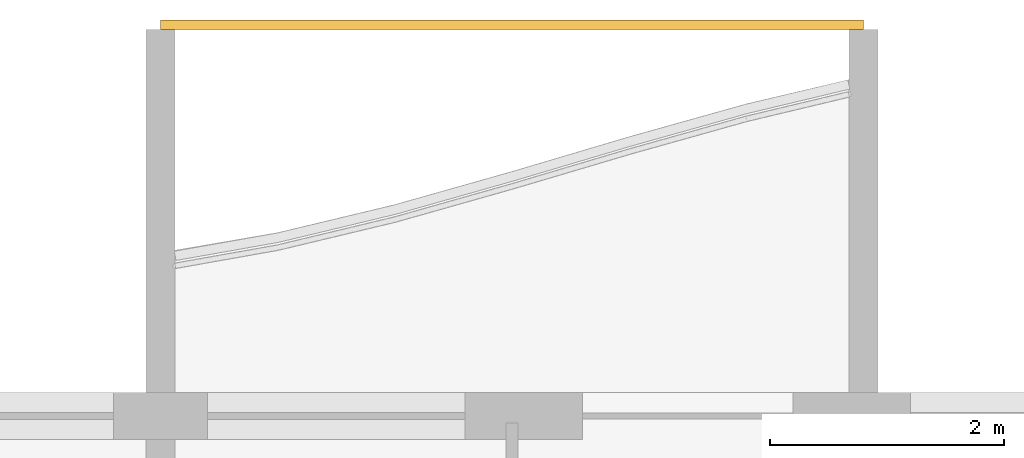
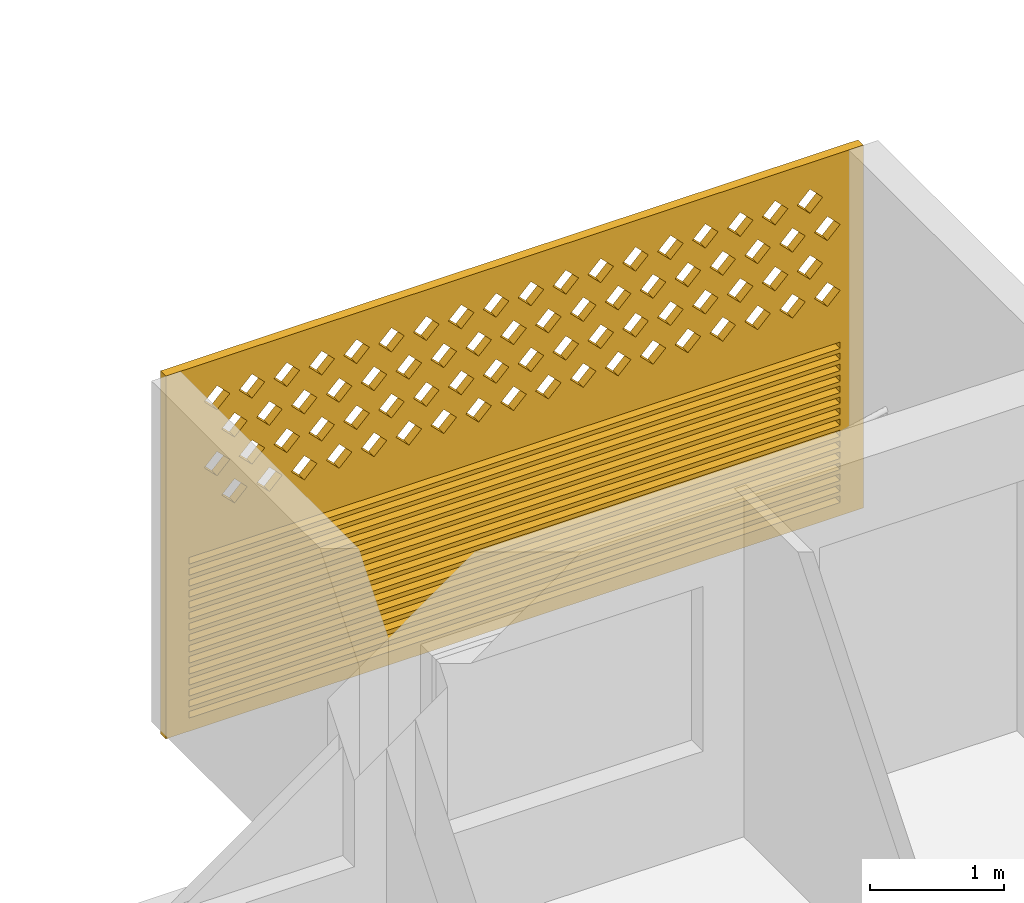
# One storey, part 20 of 26: 1 covering.
"""IFC4 building model written with IfcOpenShell, lengths in metres."""

from ifc_helpers import new_model, si_unit, direction, frame, origin, place, context, subcontext, project, spatial, polyline, outline, extrude, source, transform, mapped, material, material_profile, profile_set, type_object, element, save


model = new_model("IFC4")

# Units and contexts
model_context = context("Model", 3, precision=1e-05, world=origin(), true_north=direction((0.0, 1.0)))
body_context = subcontext(model_context, "Body", "Model", "MODEL_VIEW")
ifc_project = project(units=[si_unit("LENGTHUNIT", "METRE"), si_unit("AREAUNIT", "SQUARE_METRE"), si_unit("VOLUMEUNIT", "CUBIC_METRE"), si_unit("PLANEANGLEUNIT", "RADIAN"), si_unit("MASSUNIT", "GRAM", prefix="KILO")], contexts=[model_context])

# Site, building, storey
site_placement = place(None, origin())
site = spatial("IfcSite", under=ifc_project, at=site_placement, CompositionType="ELEMENT")
building_placement = place(site_placement, origin())
building = spatial("IfcBuilding", under=site, at=building_placement, Name="Poui Terraces", CompositionType="ELEMENT")
storey_placement = place(building_placement, frame((0.0, 0.0, 244.5)))
storey = spatial("IfcBuildingStorey", under=building, at=storey_placement, Name="L68", CompositionType="ELEMENT", Elevation=244.5)

# Covering
ifc_material = material(Name="Terracotta screen", Category="masonry")
ifc_material_profile = material_profile(ifc_material, outline(polyline([(-3.0, -1.64990234375), (3.0, -1.64990234375), (3.0, 1.64990234375), (-3.0, 1.64990234375), (-3.0, -1.64990234375)]), holes=[polyline([(-2.800048828125, 0.39990234375), (-2.68994140625, 0.2900390625), (-2.580078125, 0.39990234375), (-2.68994140625, 0.510009765625), (-2.800048828125, 0.39990234375)]), polyline([(-2.5, 0.39990234375), (-2.389892578125, 0.2900390625), (-2.280029296875, 0.39990234375), (-2.389892578125, 0.510009765625), (-2.5, 0.39990234375)]), polyline([(-2.199951171875, 0.39990234375), (-2.090087890625, 0.2900390625), (-1.97998046875, 0.39990234375), (-2.090087890625, 0.510009765625), (-2.199951171875, 0.39990234375)]), polyline([(-1.89990234375, 0.39990234375), (-1.7900390625, 0.2900390625), (-1.679931640625, 0.39990234375), (-1.7900390625, 0.510009765625), (-1.89990234375, 0.39990234375)]), polyline([(-1.60009765625, 0.39990234375), (-1.489990234375, 0.2900390625), (-1.3798828125, 0.39990234375), (-1.489990234375, 0.510009765625), (-1.60009765625, 0.39990234375)]), polyline([(-1.300048828125, 0.39990234375), (-1.18994140625, 0.2900390625), (-1.080078125, 0.39990234375), (-1.18994140625, 0.510009765625), (-1.300048828125, 0.39990234375)]), polyline([(-1.0, 0.39990234375), (-0.889892578125, 0.2900390625), (-0.780029296875, 0.39990234375), (-0.889892578125, 0.510009765625), (-1.0, 0.39990234375)]), polyline([(-0.699951171875, 0.39990234375), (-0.590087890625, 0.2900390625), (-0.47998046875, 0.39990234375), (-0.590087890625, 0.510009765625), (-0.699951171875, 0.39990234375)]), polyline([(-0.39990234375, 0.39990234375), (-0.2900390625, 0.2900390625), (-0.179931640625, 0.39990234375), (-0.2900390625, 0.510009765625), (-0.39990234375, 0.39990234375)]), polyline([(-0.10009765625, 0.39990234375), (0.010009765625, 0.2900390625), (0.1201171875, 0.39990234375), (0.010009765625, 0.510009765625), (-0.10009765625, 0.39990234375)]), polyline([(0.199951171875, 0.39990234375), (0.31005859375, 0.2900390625), (0.419921875, 0.39990234375), (0.31005859375, 0.510009765625), (0.199951171875, 0.39990234375)]), polyline([(0.5, 0.39990234375), (0.610107421875, 0.2900390625), (0.719970703125, 0.39990234375), (0.610107421875, 0.510009765625), (0.5, 0.39990234375)]), polyline([(0.800048828125, 0.39990234375), (0.909912109375, 0.2900390625), (1.02001953125, 0.39990234375), (0.909912109375, 0.510009765625), (0.800048828125, 0.39990234375)]), polyline([(1.10009765625, 0.39990234375), (1.2099609375, 0.2900390625), (1.320068359375, 0.39990234375), (1.2099609375, 0.510009765625), (1.10009765625, 0.39990234375)]), polyline([(1.39990234375, 0.39990234375), (1.510009765625, 0.2900390625), (1.6201171875, 0.39990234375), (1.510009765625, 0.510009765625), (1.39990234375, 0.39990234375)]), polyline([(1.699951171875, 0.39990234375), (1.81005859375, 0.2900390625), (1.919921875, 0.39990234375), (1.81005859375, 0.510009765625), (1.699951171875, 0.39990234375)]), polyline([(2.0, 0.39990234375), (2.110107421875, 0.2900390625), (2.219970703125, 0.39990234375), (2.110107421875, 0.510009765625), (2.0, 0.39990234375)]), polyline([(2.300048828125, 0.39990234375), (2.409912109375, 0.2900390625), (2.52001953125, 0.39990234375), (2.409912109375, 0.510009765625), (2.300048828125, 0.39990234375)]), polyline([(-2.64990234375, 0.699951171875), (-2.5400390625, 0.590087890625), (-2.429931640625, 0.699951171875), (-2.5400390625, 0.81005859375), (-2.64990234375, 0.699951171875)]), polyline([(-2.35009765625, 0.699951171875), (-2.239990234375, 0.590087890625), (-2.1298828125, 0.699951171875), (-2.239990234375, 0.81005859375), (-2.35009765625, 0.699951171875)]), polyline([(-2.050048828125, 0.699951171875), (-1.93994140625, 0.590087890625), (-1.830078125, 0.699951171875), (-1.93994140625, 0.81005859375), (-2.050048828125, 0.699951171875)]), polyline([(-1.75, 0.699951171875), (-1.639892578125, 0.590087890625), (-1.530029296875, 0.699951171875), (-1.639892578125, 0.81005859375), (-1.75, 0.699951171875)]), polyline([(-1.449951171875, 0.699951171875), (-1.340087890625, 0.590087890625), (-1.22998046875, 0.699951171875), (-1.340087890625, 0.81005859375), (-1.449951171875, 0.699951171875)]), polyline([(-1.14990234375, 0.699951171875), (-1.0400390625, 0.590087890625), (-0.929931640625, 0.699951171875), (-1.0400390625, 0.81005859375), (-1.14990234375, 0.699951171875)]), polyline([(-0.85009765625, 0.699951171875), (-0.739990234375, 0.590087890625), (-0.6298828125, 0.699951171875), (-0.739990234375, 0.81005859375), (-0.85009765625, 0.699951171875)]), polyline([(-0.550048828125, 0.699951171875), (-0.43994140625, 0.590087890625), (-0.330078125, 0.699951171875), (-0.43994140625, 0.81005859375), (-0.550048828125, 0.699951171875)]), polyline([(-0.25, 0.699951171875), (-0.139892578125, 0.590087890625), (-0.030029296875, 0.699951171875), (-0.139892578125, 0.81005859375), (-0.25, 0.699951171875)]), polyline([(0.050048828125, 0.699951171875), (0.159912109375, 0.590087890625), (0.27001953125, 0.699951171875), (0.159912109375, 0.81005859375), (0.050048828125, 0.699951171875)]), polyline([(0.35009765625, 0.699951171875), (0.4599609375, 0.590087890625), (0.570068359375, 0.699951171875), (0.4599609375, 0.81005859375), (0.35009765625, 0.699951171875)]), polyline([(0.64990234375, 0.699951171875), (0.760009765625, 0.590087890625), (0.8701171875, 0.699951171875), (0.760009765625, 0.81005859375), (0.64990234375, 0.699951171875)]), polyline([(0.949951171875, 0.699951171875), (1.06005859375, 0.590087890625), (1.169921875, 0.699951171875), (1.06005859375, 0.81005859375), (0.949951171875, 0.699951171875)]), polyline([(1.25, 0.699951171875), (1.360107421875, 0.590087890625), (1.469970703125, 0.699951171875), (1.360107421875, 0.81005859375), (1.25, 0.699951171875)]), polyline([(1.550048828125, 0.699951171875), (1.659912109375, 0.590087890625), (1.77001953125, 0.699951171875), (1.659912109375, 0.81005859375), (1.550048828125, 0.699951171875)]), polyline([(1.85009765625, 0.699951171875), (1.9599609375, 0.590087890625), (2.070068359375, 0.699951171875), (1.9599609375, 0.81005859375), (1.85009765625, 0.699951171875)]), polyline([(2.14990234375, 0.699951171875), (2.260009765625, 0.590087890625), (2.3701171875, 0.699951171875), (2.260009765625, 0.81005859375), (2.14990234375, 0.699951171875)]), polyline([(2.449951171875, 0.699951171875), (2.56005859375, 0.590087890625), (2.669921875, 0.699951171875), (2.56005859375, 0.81005859375), (2.449951171875, 0.699951171875)]), polyline([(-2.800048828125, 1.0), (-2.68994140625, 0.889892578125), (-2.580078125, 1.0), (-2.68994140625, 1.110107421875), (-2.800048828125, 1.0)]), polyline([(-2.5, 1.0), (-2.389892578125, 0.889892578125), (-2.280029296875, 1.0), (-2.389892578125, 1.110107421875), (-2.5, 1.0)]), polyline([(-2.199951171875, 1.0), (-2.090087890625, 0.889892578125), (-1.97998046875, 1.0), (-2.090087890625, 1.110107421875), (-2.199951171875, 1.0)]), polyline([(-1.89990234375, 1.0), (-1.7900390625, 0.889892578125), (-1.679931640625, 1.0), (-1.7900390625, 1.110107421875), (-1.89990234375, 1.0)]), polyline([(-1.60009765625, 1.0), (-1.489990234375, 0.889892578125), (-1.3798828125, 1.0), (-1.489990234375, 1.110107421875), (-1.60009765625, 1.0)]), polyline([(-1.300048828125, 1.0), (-1.18994140625, 0.889892578125), (-1.080078125, 1.0), (-1.18994140625, 1.110107421875), (-1.300048828125, 1.0)]), polyline([(-1.0, 1.0), (-0.889892578125, 0.889892578125), (-0.780029296875, 1.0), (-0.889892578125, 1.110107421875), (-1.0, 1.0)]), polyline([(-0.699951171875, 1.0), (-0.590087890625, 0.889892578125), (-0.47998046875, 1.0), (-0.590087890625, 1.110107421875), (-0.699951171875, 1.0)]), polyline([(-0.39990234375, 1.0), (-0.2900390625, 0.889892578125), (-0.179931640625, 1.0), (-0.2900390625, 1.110107421875), (-0.39990234375, 1.0)]), polyline([(-0.10009765625, 1.0), (0.010009765625, 0.889892578125), (0.1201171875, 1.0), (0.010009765625, 1.110107421875), (-0.10009765625, 1.0)]), polyline([(0.199951171875, 1.0), (0.31005859375, 0.889892578125), (0.419921875, 1.0), (0.31005859375, 1.110107421875), (0.199951171875, 1.0)]), polyline([(0.5, 1.0), (0.610107421875, 0.889892578125), (0.719970703125, 1.0), (0.610107421875, 1.110107421875), (0.5, 1.0)]), polyline([(0.800048828125, 1.0), (0.909912109375, 0.889892578125), (1.02001953125, 1.0), (0.909912109375, 1.110107421875), (0.800048828125, 1.0)]), polyline([(1.10009765625, 1.0), (1.2099609375, 0.889892578125), (1.320068359375, 1.0), (1.2099609375, 1.110107421875), (1.10009765625, 1.0)]), polyline([(1.39990234375, 1.0), (1.510009765625, 0.889892578125), (1.6201171875, 1.0), (1.510009765625, 1.110107421875), (1.39990234375, 1.0)]), polyline([(1.699951171875, 1.0), (1.81005859375, 0.889892578125), (1.919921875, 1.0), (1.81005859375, 1.110107421875), (1.699951171875, 1.0)]), polyline([(2.0, 1.0), (2.110107421875, 0.889892578125), (2.219970703125, 1.0), (2.110107421875, 1.110107421875), (2.0, 1.0)]), polyline([(2.300048828125, 1.0), (2.409912109375, 0.889892578125), (2.52001953125, 1.0), (2.409912109375, 1.110107421875), (2.300048828125, 1.0)]), polyline([(-2.64990234375, 1.300048828125), (-2.5400390625, 1.18994140625), (-2.429931640625, 1.300048828125), (-2.5400390625, 1.409912109375), (-2.64990234375, 1.300048828125)]), polyline([(-2.35009765625, 1.300048828125), (-2.239990234375, 1.18994140625), (-2.1298828125, 1.300048828125), (-2.239990234375, 1.409912109375), (-2.35009765625, 1.300048828125)]), polyline([(-2.050048828125, 1.300048828125), (-1.93994140625, 1.18994140625), (-1.830078125, 1.300048828125), (-1.93994140625, 1.409912109375), (-2.050048828125, 1.300048828125)]), polyline([(-1.75, 1.300048828125), (-1.639892578125, 1.18994140625), (-1.530029296875, 1.300048828125), (-1.639892578125, 1.409912109375), (-1.75, 1.300048828125)]), polyline([(-1.449951171875, 1.300048828125), (-1.340087890625, 1.18994140625), (-1.22998046875, 1.300048828125), (-1.340087890625, 1.409912109375), (-1.449951171875, 1.300048828125)]), polyline([(-1.14990234375, 1.300048828125), (-1.0400390625, 1.18994140625), (-0.929931640625, 1.300048828125), (-1.0400390625, 1.409912109375), (-1.14990234375, 1.300048828125)]), polyline([(-0.85009765625, 1.300048828125), (-0.739990234375, 1.18994140625), (-0.6298828125, 1.300048828125), (-0.739990234375, 1.409912109375), (-0.85009765625, 1.300048828125)]), polyline([(-0.550048828125, 1.300048828125), (-0.43994140625, 1.18994140625), (-0.330078125, 1.300048828125), (-0.43994140625, 1.409912109375), (-0.550048828125, 1.300048828125)]), polyline([(-0.25, 1.300048828125), (-0.139892578125, 1.18994140625), (-0.030029296875, 1.300048828125), (-0.139892578125, 1.409912109375), (-0.25, 1.300048828125)]), polyline([(0.050048828125, 1.300048828125), (0.159912109375, 1.18994140625), (0.27001953125, 1.300048828125), (0.159912109375, 1.409912109375), (0.050048828125, 1.300048828125)]), polyline([(0.35009765625, 1.300048828125), (0.4599609375, 1.18994140625), (0.570068359375, 1.300048828125), (0.4599609375, 1.409912109375), (0.35009765625, 1.300048828125)]), polyline([(0.64990234375, 1.300048828125), (0.760009765625, 1.18994140625), (0.8701171875, 1.300048828125), (0.760009765625, 1.409912109375), (0.64990234375, 1.300048828125)]), polyline([(0.949951171875, 1.300048828125), (1.06005859375, 1.18994140625), (1.169921875, 1.300048828125), (1.06005859375, 1.409912109375), (0.949951171875, 1.300048828125)]), polyline([(1.25, 1.300048828125), (1.360107421875, 1.18994140625), (1.469970703125, 1.300048828125), (1.360107421875, 1.409912109375), (1.25, 1.300048828125)]), polyline([(1.550048828125, 1.300048828125), (1.659912109375, 1.18994140625), (1.77001953125, 1.300048828125), (1.659912109375, 1.409912109375), (1.550048828125, 1.300048828125)]), polyline([(1.85009765625, 1.300048828125), (1.9599609375, 1.18994140625), (2.070068359375, 1.300048828125), (1.9599609375, 1.409912109375), (1.85009765625, 1.300048828125)]), polyline([(2.14990234375, 1.300048828125), (2.260009765625, 1.18994140625), (2.3701171875, 1.300048828125), (2.260009765625, 1.409912109375), (2.14990234375, 1.300048828125)]), polyline([(2.449951171875, 1.300048828125), (2.56005859375, 1.18994140625), (2.669921875, 1.300048828125), (2.56005859375, 1.409912109375), (2.449951171875, 1.300048828125)]), polyline([(-2.800048828125, -1.530029296875), (2.800048828125, -1.530029296875), (2.800048828125, -1.469970703125), (-2.800048828125, -1.469970703125), (-2.800048828125, -1.530029296875)]), polyline([(-2.800048828125, -1.429931640625), (2.800048828125, -1.429931640625), (2.800048828125, -1.3701171875), (-2.800048828125, -1.3701171875), (-2.800048828125, -1.429931640625)]), polyline([(-2.800048828125, -1.330078125), (2.800048828125, -1.330078125), (2.800048828125, -1.27001953125), (-2.800048828125, -1.27001953125), (-2.800048828125, -1.330078125)]), polyline([(-2.800048828125, -1.22998046875), (2.800048828125, -1.22998046875), (2.800048828125, -1.169921875), (-2.800048828125, -1.169921875), (-2.800048828125, -1.22998046875)]), polyline([(-2.800048828125, -1.1298828125), (2.800048828125, -1.1298828125), (2.800048828125, -1.070068359375), (-2.800048828125, -1.070068359375), (-2.800048828125, -1.1298828125)]), polyline([(-2.800048828125, -1.030029296875), (2.800048828125, -1.030029296875), (2.800048828125, -0.969970703125), (-2.800048828125, -0.969970703125), (-2.800048828125, -1.030029296875)]), polyline([(-2.800048828125, -0.929931640625), (2.800048828125, -0.929931640625), (2.800048828125, -0.8701171875), (-2.800048828125, -0.8701171875), (-2.800048828125, -0.929931640625)]), polyline([(-2.800048828125, -0.830078125), (2.800048828125, -0.830078125), (2.800048828125, -0.77001953125), (-2.800048828125, -0.77001953125), (-2.800048828125, -0.830078125)]), polyline([(-2.800048828125, -0.72998046875), (2.800048828125, -0.72998046875), (2.800048828125, -0.669921875), (-2.800048828125, -0.669921875), (-2.800048828125, -0.72998046875)]), polyline([(-2.800048828125, -0.6298828125), (2.800048828125, -0.6298828125), (2.800048828125, -0.570068359375), (-2.800048828125, -0.570068359375), (-2.800048828125, -0.6298828125)]), polyline([(-2.800048828125, -0.530029296875), (2.800048828125, -0.530029296875), (2.800048828125, -0.469970703125), (-2.800048828125, -0.469970703125), (-2.800048828125, -0.530029296875)]), polyline([(-2.800048828125, -0.429931640625), (2.800048828125, -0.429931640625), (2.800048828125, -0.3701171875), (-2.800048828125, -0.3701171875), (-2.800048828125, -0.429931640625)]), polyline([(-2.800048828125, -0.330078125), (2.800048828125, -0.330078125), (2.800048828125, -0.27001953125), (-2.800048828125, -0.27001953125), (-2.800048828125, -0.330078125)]), polyline([(-2.800048828125, -0.22998046875), (2.800048828125, -0.22998046875), (2.800048828125, -0.169921875), (-2.800048828125, -0.169921875), (-2.800048828125, -0.22998046875)]), polyline([(-2.800048828125, -0.1298828125), (2.800048828125, -0.1298828125), (2.800048828125, -0.070068359375), (-2.800048828125, -0.070068359375), (-2.800048828125, -0.1298828125)])]), Name="TERRACOTTA SCREEN AND JALOUSIE LOUVRE 6000X3300")
ifc_profile_set = profile_set([ifc_material_profile], Name="Terracotta screen")
covering_type = type_object("IfcCoveringType", Name="TERRACOTTA SCREEN AND JALOUSIE LOUVRE 6000X3300", PredefinedType="CLADDING", material=ifc_profile_set)
shared_shape = source(origin(), body_context, "Body", "SweptSolid", [
    extrude(outline(polyline([(-3.0, -1.64990234375), (3.0, -1.64990234375), (3.0, 1.64990234375), (-3.0, 1.64990234375), (-3.0, -1.64990234375)]), holes=[polyline([(-2.800048828125, 0.39990234375), (-2.68994140625, 0.2900390625), (-2.580078125, 0.39990234375), (-2.68994140625, 0.510009765625), (-2.800048828125, 0.39990234375)]), polyline([(-2.5, 0.39990234375), (-2.389892578125, 0.2900390625), (-2.280029296875, 0.39990234375), (-2.389892578125, 0.510009765625), (-2.5, 0.39990234375)]), polyline([(-2.199951171875, 0.39990234375), (-2.090087890625, 0.2900390625), (-1.97998046875, 0.39990234375), (-2.090087890625, 0.510009765625), (-2.199951171875, 0.39990234375)]), polyline([(-1.89990234375, 0.39990234375), (-1.7900390625, 0.2900390625), (-1.679931640625, 0.39990234375), (-1.7900390625, 0.510009765625), (-1.89990234375, 0.39990234375)]), polyline([(-1.60009765625, 0.39990234375), (-1.489990234375, 0.2900390625), (-1.3798828125, 0.39990234375), (-1.489990234375, 0.510009765625), (-1.60009765625, 0.39990234375)]), polyline([(-1.300048828125, 0.39990234375), (-1.18994140625, 0.2900390625), (-1.080078125, 0.39990234375), (-1.18994140625, 0.510009765625), (-1.300048828125, 0.39990234375)]), polyline([(-1.0, 0.39990234375), (-0.889892578125, 0.2900390625), (-0.780029296875, 0.39990234375), (-0.889892578125, 0.510009765625), (-1.0, 0.39990234375)]), polyline([(-0.699951171875, 0.39990234375), (-0.590087890625, 0.2900390625), (-0.47998046875, 0.39990234375), (-0.590087890625, 0.510009765625), (-0.699951171875, 0.39990234375)]), polyline([(-0.39990234375, 0.39990234375), (-0.2900390625, 0.2900390625), (-0.179931640625, 0.39990234375), (-0.2900390625, 0.510009765625), (-0.39990234375, 0.39990234375)]), polyline([(-0.10009765625, 0.39990234375), (0.010009765625, 0.2900390625), (0.1201171875, 0.39990234375), (0.010009765625, 0.510009765625), (-0.10009765625, 0.39990234375)]), polyline([(0.199951171875, 0.39990234375), (0.31005859375, 0.2900390625), (0.419921875, 0.39990234375), (0.31005859375, 0.510009765625), (0.199951171875, 0.39990234375)]), polyline([(0.5, 0.39990234375), (0.610107421875, 0.2900390625), (0.719970703125, 0.39990234375), (0.610107421875, 0.510009765625), (0.5, 0.39990234375)]), polyline([(0.800048828125, 0.39990234375), (0.909912109375, 0.2900390625), (1.02001953125, 0.39990234375), (0.909912109375, 0.510009765625), (0.800048828125, 0.39990234375)]), polyline([(1.10009765625, 0.39990234375), (1.2099609375, 0.2900390625), (1.320068359375, 0.39990234375), (1.2099609375, 0.510009765625), (1.10009765625, 0.39990234375)]), polyline([(1.39990234375, 0.39990234375), (1.510009765625, 0.2900390625), (1.6201171875, 0.39990234375), (1.510009765625, 0.510009765625), (1.39990234375, 0.39990234375)]), polyline([(1.699951171875, 0.39990234375), (1.81005859375, 0.2900390625), (1.919921875, 0.39990234375), (1.81005859375, 0.510009765625), (1.699951171875, 0.39990234375)]), polyline([(2.0, 0.39990234375), (2.110107421875, 0.2900390625), (2.219970703125, 0.39990234375), (2.110107421875, 0.510009765625), (2.0, 0.39990234375)]), polyline([(2.300048828125, 0.39990234375), (2.409912109375, 0.2900390625), (2.52001953125, 0.39990234375), (2.409912109375, 0.510009765625), (2.300048828125, 0.39990234375)]), polyline([(-2.64990234375, 0.699951171875), (-2.5400390625, 0.590087890625), (-2.429931640625, 0.699951171875), (-2.5400390625, 0.81005859375), (-2.64990234375, 0.699951171875)]), polyline([(-2.35009765625, 0.699951171875), (-2.239990234375, 0.590087890625), (-2.1298828125, 0.699951171875), (-2.239990234375, 0.81005859375), (-2.35009765625, 0.699951171875)]), polyline([(-2.050048828125, 0.699951171875), (-1.93994140625, 0.590087890625), (-1.830078125, 0.699951171875), (-1.93994140625, 0.81005859375), (-2.050048828125, 0.699951171875)]), polyline([(-1.75, 0.699951171875), (-1.639892578125, 0.590087890625), (-1.530029296875, 0.699951171875), (-1.639892578125, 0.81005859375), (-1.75, 0.699951171875)]), polyline([(-1.449951171875, 0.699951171875), (-1.340087890625, 0.590087890625), (-1.22998046875, 0.699951171875), (-1.340087890625, 0.81005859375), (-1.449951171875, 0.699951171875)]), polyline([(-1.14990234375, 0.699951171875), (-1.0400390625, 0.590087890625), (-0.929931640625, 0.699951171875), (-1.0400390625, 0.81005859375), (-1.14990234375, 0.699951171875)]), polyline([(-0.85009765625, 0.699951171875), (-0.739990234375, 0.590087890625), (-0.6298828125, 0.699951171875), (-0.739990234375, 0.81005859375), (-0.85009765625, 0.699951171875)]), polyline([(-0.550048828125, 0.699951171875), (-0.43994140625, 0.590087890625), (-0.330078125, 0.699951171875), (-0.43994140625, 0.81005859375), (-0.550048828125, 0.699951171875)]), polyline([(-0.25, 0.699951171875), (-0.139892578125, 0.590087890625), (-0.030029296875, 0.699951171875), (-0.139892578125, 0.81005859375), (-0.25, 0.699951171875)]), polyline([(0.050048828125, 0.699951171875), (0.159912109375, 0.590087890625), (0.27001953125, 0.699951171875), (0.159912109375, 0.81005859375), (0.050048828125, 0.699951171875)]), polyline([(0.35009765625, 0.699951171875), (0.4599609375, 0.590087890625), (0.570068359375, 0.699951171875), (0.4599609375, 0.81005859375), (0.35009765625, 0.699951171875)]), polyline([(0.64990234375, 0.699951171875), (0.760009765625, 0.590087890625), (0.8701171875, 0.699951171875), (0.760009765625, 0.81005859375), (0.64990234375, 0.699951171875)]), polyline([(0.949951171875, 0.699951171875), (1.06005859375, 0.590087890625), (1.169921875, 0.699951171875), (1.06005859375, 0.81005859375), (0.949951171875, 0.699951171875)]), polyline([(1.25, 0.699951171875), (1.360107421875, 0.590087890625), (1.469970703125, 0.699951171875), (1.360107421875, 0.81005859375), (1.25, 0.699951171875)]), polyline([(1.550048828125, 0.699951171875), (1.659912109375, 0.590087890625), (1.77001953125, 0.699951171875), (1.659912109375, 0.81005859375), (1.550048828125, 0.699951171875)]), polyline([(1.85009765625, 0.699951171875), (1.9599609375, 0.590087890625), (2.070068359375, 0.699951171875), (1.9599609375, 0.81005859375), (1.85009765625, 0.699951171875)]), polyline([(2.14990234375, 0.699951171875), (2.260009765625, 0.590087890625), (2.3701171875, 0.699951171875), (2.260009765625, 0.81005859375), (2.14990234375, 0.699951171875)]), polyline([(2.449951171875, 0.699951171875), (2.56005859375, 0.590087890625), (2.669921875, 0.699951171875), (2.56005859375, 0.81005859375), (2.449951171875, 0.699951171875)]), polyline([(-2.800048828125, 1.0), (-2.68994140625, 0.889892578125), (-2.580078125, 1.0), (-2.68994140625, 1.110107421875), (-2.800048828125, 1.0)]), polyline([(-2.5, 1.0), (-2.389892578125, 0.889892578125), (-2.280029296875, 1.0), (-2.389892578125, 1.110107421875), (-2.5, 1.0)]), polyline([(-2.199951171875, 1.0), (-2.090087890625, 0.889892578125), (-1.97998046875, 1.0), (-2.090087890625, 1.110107421875), (-2.199951171875, 1.0)]), polyline([(-1.89990234375, 1.0), (-1.7900390625, 0.889892578125), (-1.679931640625, 1.0), (-1.7900390625, 1.110107421875), (-1.89990234375, 1.0)]), polyline([(-1.60009765625, 1.0), (-1.489990234375, 0.889892578125), (-1.3798828125, 1.0), (-1.489990234375, 1.110107421875), (-1.60009765625, 1.0)]), polyline([(-1.300048828125, 1.0), (-1.18994140625, 0.889892578125), (-1.080078125, 1.0), (-1.18994140625, 1.110107421875), (-1.300048828125, 1.0)]), polyline([(-1.0, 1.0), (-0.889892578125, 0.889892578125), (-0.780029296875, 1.0), (-0.889892578125, 1.110107421875), (-1.0, 1.0)]), polyline([(-0.699951171875, 1.0), (-0.590087890625, 0.889892578125), (-0.47998046875, 1.0), (-0.590087890625, 1.110107421875), (-0.699951171875, 1.0)]), polyline([(-0.39990234375, 1.0), (-0.2900390625, 0.889892578125), (-0.179931640625, 1.0), (-0.2900390625, 1.110107421875), (-0.39990234375, 1.0)]), polyline([(-0.10009765625, 1.0), (0.010009765625, 0.889892578125), (0.1201171875, 1.0), (0.010009765625, 1.110107421875), (-0.10009765625, 1.0)]), polyline([(0.199951171875, 1.0), (0.31005859375, 0.889892578125), (0.419921875, 1.0), (0.31005859375, 1.110107421875), (0.199951171875, 1.0)]), polyline([(0.5, 1.0), (0.610107421875, 0.889892578125), (0.719970703125, 1.0), (0.610107421875, 1.110107421875), (0.5, 1.0)]), polyline([(0.800048828125, 1.0), (0.909912109375, 0.889892578125), (1.02001953125, 1.0), (0.909912109375, 1.110107421875), (0.800048828125, 1.0)]), polyline([(1.10009765625, 1.0), (1.2099609375, 0.889892578125), (1.320068359375, 1.0), (1.2099609375, 1.110107421875), (1.10009765625, 1.0)]), polyline([(1.39990234375, 1.0), (1.510009765625, 0.889892578125), (1.6201171875, 1.0), (1.510009765625, 1.110107421875), (1.39990234375, 1.0)]), polyline([(1.699951171875, 1.0), (1.81005859375, 0.889892578125), (1.919921875, 1.0), (1.81005859375, 1.110107421875), (1.699951171875, 1.0)]), polyline([(2.0, 1.0), (2.110107421875, 0.889892578125), (2.219970703125, 1.0), (2.110107421875, 1.110107421875), (2.0, 1.0)]), polyline([(2.300048828125, 1.0), (2.409912109375, 0.889892578125), (2.52001953125, 1.0), (2.409912109375, 1.110107421875), (2.300048828125, 1.0)]), polyline([(-2.64990234375, 1.300048828125), (-2.5400390625, 1.18994140625), (-2.429931640625, 1.300048828125), (-2.5400390625, 1.409912109375), (-2.64990234375, 1.300048828125)]), polyline([(-2.35009765625, 1.300048828125), (-2.239990234375, 1.18994140625), (-2.1298828125, 1.300048828125), (-2.239990234375, 1.409912109375), (-2.35009765625, 1.300048828125)]), polyline([(-2.050048828125, 1.300048828125), (-1.93994140625, 1.18994140625), (-1.830078125, 1.300048828125), (-1.93994140625, 1.409912109375), (-2.050048828125, 1.300048828125)]), polyline([(-1.75, 1.300048828125), (-1.639892578125, 1.18994140625), (-1.530029296875, 1.300048828125), (-1.639892578125, 1.409912109375), (-1.75, 1.300048828125)]), polyline([(-1.449951171875, 1.300048828125), (-1.340087890625, 1.18994140625), (-1.22998046875, 1.300048828125), (-1.340087890625, 1.409912109375), (-1.449951171875, 1.300048828125)]), polyline([(-1.14990234375, 1.300048828125), (-1.0400390625, 1.18994140625), (-0.929931640625, 1.300048828125), (-1.0400390625, 1.409912109375), (-1.14990234375, 1.300048828125)]), polyline([(-0.85009765625, 1.300048828125), (-0.739990234375, 1.18994140625), (-0.6298828125, 1.300048828125), (-0.739990234375, 1.409912109375), (-0.85009765625, 1.300048828125)]), polyline([(-0.550048828125, 1.300048828125), (-0.43994140625, 1.18994140625), (-0.330078125, 1.300048828125), (-0.43994140625, 1.409912109375), (-0.550048828125, 1.300048828125)]), polyline([(-0.25, 1.300048828125), (-0.139892578125, 1.18994140625), (-0.030029296875, 1.300048828125), (-0.139892578125, 1.409912109375), (-0.25, 1.300048828125)]), polyline([(0.050048828125, 1.300048828125), (0.159912109375, 1.18994140625), (0.27001953125, 1.300048828125), (0.159912109375, 1.409912109375), (0.050048828125, 1.300048828125)]), polyline([(0.35009765625, 1.300048828125), (0.4599609375, 1.18994140625), (0.570068359375, 1.300048828125), (0.4599609375, 1.409912109375), (0.35009765625, 1.300048828125)]), polyline([(0.64990234375, 1.300048828125), (0.760009765625, 1.18994140625), (0.8701171875, 1.300048828125), (0.760009765625, 1.409912109375), (0.64990234375, 1.300048828125)]), polyline([(0.949951171875, 1.300048828125), (1.06005859375, 1.18994140625), (1.169921875, 1.300048828125), (1.06005859375, 1.409912109375), (0.949951171875, 1.300048828125)]), polyline([(1.25, 1.300048828125), (1.360107421875, 1.18994140625), (1.469970703125, 1.300048828125), (1.360107421875, 1.409912109375), (1.25, 1.300048828125)]), polyline([(1.550048828125, 1.300048828125), (1.659912109375, 1.18994140625), (1.77001953125, 1.300048828125), (1.659912109375, 1.409912109375), (1.550048828125, 1.300048828125)]), polyline([(1.85009765625, 1.300048828125), (1.9599609375, 1.18994140625), (2.070068359375, 1.300048828125), (1.9599609375, 1.409912109375), (1.85009765625, 1.300048828125)]), polyline([(2.14990234375, 1.300048828125), (2.260009765625, 1.18994140625), (2.3701171875, 1.300048828125), (2.260009765625, 1.409912109375), (2.14990234375, 1.300048828125)]), polyline([(2.449951171875, 1.300048828125), (2.56005859375, 1.18994140625), (2.669921875, 1.300048828125), (2.56005859375, 1.409912109375), (2.449951171875, 1.300048828125)]), polyline([(-2.800048828125, -1.530029296875), (2.800048828125, -1.530029296875), (2.800048828125, -1.469970703125), (-2.800048828125, -1.469970703125), (-2.800048828125, -1.530029296875)]), polyline([(-2.800048828125, -1.429931640625), (2.800048828125, -1.429931640625), (2.800048828125, -1.3701171875), (-2.800048828125, -1.3701171875), (-2.800048828125, -1.429931640625)]), polyline([(-2.800048828125, -1.330078125), (2.800048828125, -1.330078125), (2.800048828125, -1.27001953125), (-2.800048828125, -1.27001953125), (-2.800048828125, -1.330078125)]), polyline([(-2.800048828125, -1.22998046875), (2.800048828125, -1.22998046875), (2.800048828125, -1.169921875), (-2.800048828125, -1.169921875), (-2.800048828125, -1.22998046875)]), polyline([(-2.800048828125, -1.1298828125), (2.800048828125, -1.1298828125), (2.800048828125, -1.070068359375), (-2.800048828125, -1.070068359375), (-2.800048828125, -1.1298828125)]), polyline([(-2.800048828125, -1.030029296875), (2.800048828125, -1.030029296875), (2.800048828125, -0.969970703125), (-2.800048828125, -0.969970703125), (-2.800048828125, -1.030029296875)]), polyline([(-2.800048828125, -0.929931640625), (2.800048828125, -0.929931640625), (2.800048828125, -0.8701171875), (-2.800048828125, -0.8701171875), (-2.800048828125, -0.929931640625)]), polyline([(-2.800048828125, -0.830078125), (2.800048828125, -0.830078125), (2.800048828125, -0.77001953125), (-2.800048828125, -0.77001953125), (-2.800048828125, -0.830078125)]), polyline([(-2.800048828125, -0.72998046875), (2.800048828125, -0.72998046875), (2.800048828125, -0.669921875), (-2.800048828125, -0.669921875), (-2.800048828125, -0.72998046875)]), polyline([(-2.800048828125, -0.6298828125), (2.800048828125, -0.6298828125), (2.800048828125, -0.570068359375), (-2.800048828125, -0.570068359375), (-2.800048828125, -0.6298828125)]), polyline([(-2.800048828125, -0.530029296875), (2.800048828125, -0.530029296875), (2.800048828125, -0.469970703125), (-2.800048828125, -0.469970703125), (-2.800048828125, -0.530029296875)]), polyline([(-2.800048828125, -0.429931640625), (2.800048828125, -0.429931640625), (2.800048828125, -0.3701171875), (-2.800048828125, -0.3701171875), (-2.800048828125, -0.429931640625)]), polyline([(-2.800048828125, -0.330078125), (2.800048828125, -0.330078125), (2.800048828125, -0.27001953125), (-2.800048828125, -0.27001953125), (-2.800048828125, -0.330078125)]), polyline([(-2.800048828125, -0.22998046875), (2.800048828125, -0.22998046875), (2.800048828125, -0.169921875), (-2.800048828125, -0.169921875), (-2.800048828125, -0.22998046875)]), polyline([(-2.800048828125, -0.1298828125), (2.800048828125, -0.1298828125), (2.800048828125, -0.070068359375), (-2.800048828125, -0.070068359375), (-2.800048828125, -0.1298828125)])]), origin(), (0.0, 0.0, 1.0), 0.080078125),
])
covering_placement = place(storey_placement, frame((51.0, 44.5, 1.449951171875), z_axis=(0.0, 1.0, 0.0), x_axis=(-1.0, 0.0, 0.0)))
element("IfcCovering", 1, at=covering_placement, inside=storey, type_object=covering_type, Name="SOLAR SCREEN AND JALOUSIE LOUVRE", PredefinedType="CLADDING", context=body_context, shape_type="MappedRepresentation", body=[
    mapped(shared_shape, transform((0.0, 0.0, 0.0))),
])

save(model, "model.ifc")
